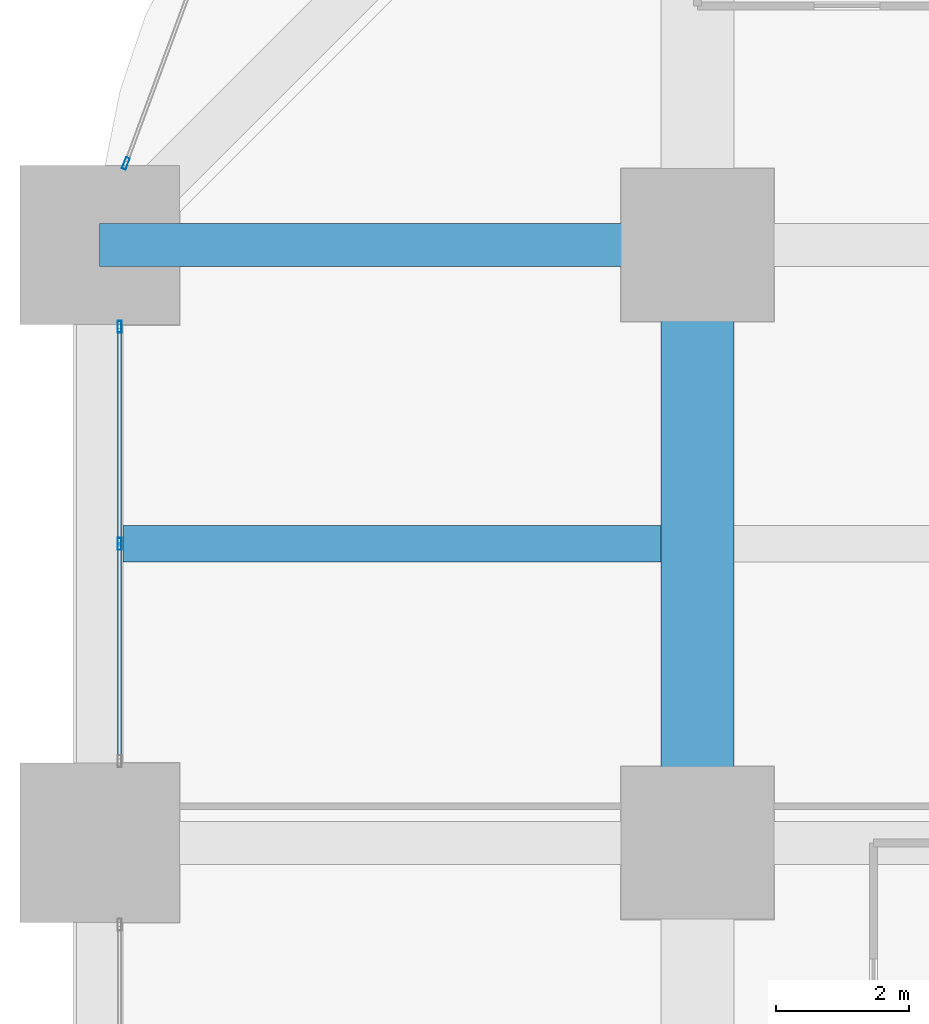
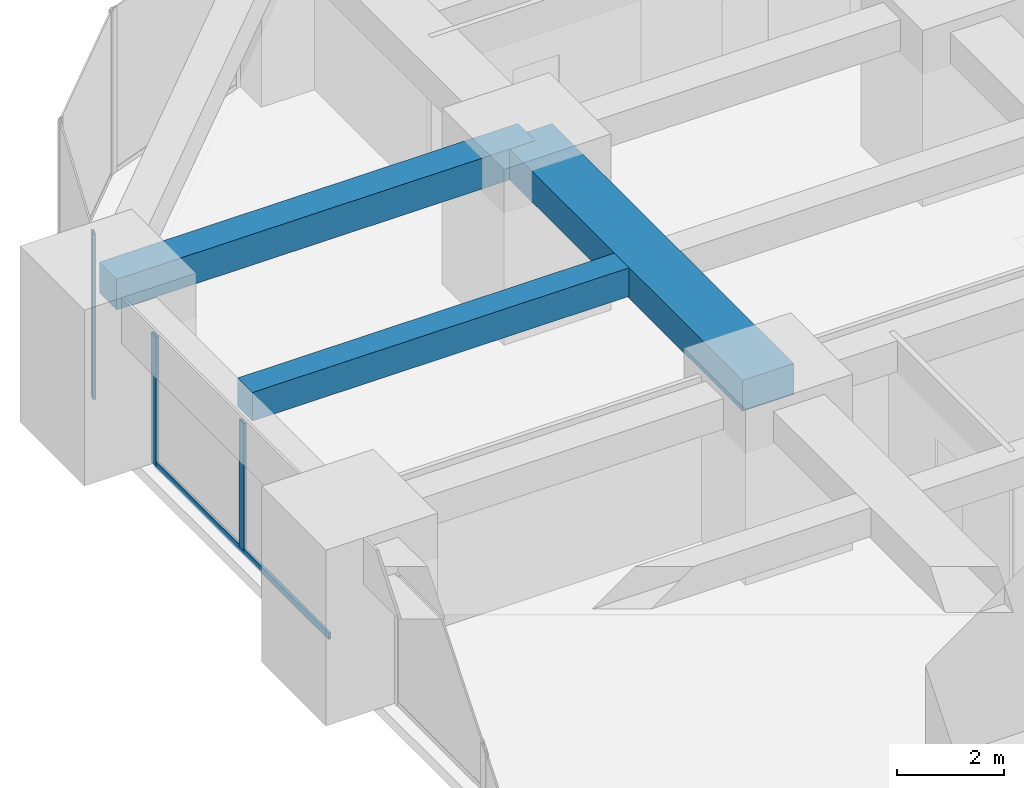
# One storey, part 25 of 44: 4 members, 3 beams, 2 elements without a shape of their own.
"""IFC4 building model written with IfcOpenShell, lengths in metres."""

from ifc_helpers import new_model, si_unit, direction, frame, origin, origin_2d, place, context, subcontext, project, spatial, rectangle, hollow_rectangle, extrude, material, material_profile, profile_set, type_object, element, aggregate, save


model = new_model("IFC4")

# Units and contexts
model_context = context("Model", 3, precision=1e-05, world=origin(), true_north=direction((0.0, 1.0)))
body_context = subcontext(model_context, "Body", "Model", "MODEL_VIEW")
ifc_project = project(units=[si_unit("LENGTHUNIT", "METRE"), si_unit("AREAUNIT", "SQUARE_METRE"), si_unit("VOLUMEUNIT", "CUBIC_METRE"), si_unit("PLANEANGLEUNIT", "RADIAN"), si_unit("MASSUNIT", "GRAM", prefix="KILO")], contexts=[model_context])

# Site, building, storey
site_placement = place(None, origin())
site = spatial("IfcSite", under=ifc_project, at=site_placement, CompositionType="ELEMENT")
building_placement = place(site_placement, origin())
building = spatial("IfcBuilding", under=site, at=building_placement, Name="Zorevar Civic Tower", CompositionType="ELEMENT")
storey_placement = place(building_placement, frame((0.0, 0.0, 43.800048828125)))
storey = spatial("IfcBuildingStorey", under=building, at=storey_placement, Name="L10", CompositionType="ELEMENT", Elevation=43.800048828125)

# Beams
ifc_material_1 = material(Name="Concrete C50/60", Category="concrete")
ifc_material_profile_1 = material_profile(ifc_material_1, rectangle(XDim=1.10009765625, YDim=0.699951171875, at=origin_2d()), Name="RC 1100x700")
ifc_profile_set_1 = profile_set([ifc_material_profile_1], Name="Concrete C50/60")
beam_type_1 = type_object("IfcBeamType", Name="Beam RC 1100x700", PredefinedType="BEAM", material=ifc_profile_set_1)
beam_1_placement = place(storey_placement, frame((9.0, 36.0, 3.39990234375), z_axis=(0.0, 1.0, 0.0), x_axis=(-1.0, 0.0, 0.0)))
element("IfcBeam", 1, at=beam_1_placement, inside=storey, type_object=beam_type_1, Name="Girder L11", PredefinedType="BEAM", context=body_context, shape_type="SweptSolid", body=[
    extrude(rectangle(XDim=1.10009765625, YDim=0.699951171875, at=origin_2d()), origin(), (0.0, 0.0, 1.0), 9.0),
])
ifc_material_2 = material(Name="Concrete C50/60", Category="concrete")
ifc_material_profile_2 = material_profile(ifc_material_2, rectangle(XDim=0.550048828125, YDim=0.64990234375, at=origin_2d()), Name="RC 550x650")
ifc_profile_set_2 = profile_set([ifc_material_profile_2], Name="Concrete C50/60")
beam_type_2 = type_object("IfcBeamType", Name="Beam RC 550x650", PredefinedType="BEAM", material=ifc_profile_set_2)
beam_2_placement = place(storey_placement, frame((0.35009765625, 40.5, 3.425048828125), z_axis=(1.0, 0.0, 0.0), x_axis=(0.0, 1.0, 0.0)))
element("IfcBeam", 2, at=beam_2_placement, inside=storey, type_object=beam_type_2, Name="Secondary beam L11", PredefinedType="BEAM", context=body_context, shape_type="SweptSolid", body=[
    extrude(rectangle(XDim=0.550048828125, YDim=0.64990234375, at=origin_2d()), origin(), (0.0, 0.0, 1.0), 8.099853515625),
])
ifc_material_3 = material(Name="Concrete C50/60", Category="concrete")
ifc_material_profile_3 = material_profile(ifc_material_3, rectangle(XDim=0.64990234375, YDim=0.699951171875, at=origin_2d()), Name="RC 650x700")
ifc_profile_set_3 = profile_set([ifc_material_profile_3], Name="Concrete C50/60")
beam_type_3 = type_object("IfcBeamType", Name="Beam RC 650x700", PredefinedType="BEAM", material=ifc_profile_set_3)
beam_3_placement = place(storey_placement, frame((0.0, 45.0, 3.39990234375), z_axis=(1.0, 0.0, 0.0), x_axis=(0.0, 1.0, 0.0)))
element("IfcBeam", 3, at=beam_3_placement, inside=storey, type_object=beam_type_3, Name="Girder L11", PredefinedType="BEAM", context=body_context, shape_type="SweptSolid", body=[
    extrude(rectangle(XDim=0.64990234375, YDim=0.699951171875, at=origin_2d()), origin(), (0.0, 0.0, 1.0), 9.0),
])

# Curtain wall, members
ifc_material_4 = material(Name="Dark grey solar-control glass in black aluminium frame", Category="aluminium")
curtain_wall_type = type_object("IfcCurtainWallType", Name="Curtain wall CW2 low zone", PredefinedType="NOTDEFINED", material=ifc_material_4)
curtain_wall_1_placement = place(storey_placement, origin())
curtain_wall_1 = element("IfcCurtainWall", 4, at=curtain_wall_1_placement, inside=storey, type_object=curtain_wall_type, Name="CW2 L10", PredefinedType="NOTDEFINED")
ifc_material_5 = material(Name="Aluminium, black anodised", Category="aluminium")
ifc_material_profile_4 = material_profile(ifc_material_5, hollow_rectangle(XDim=0.06005859375, YDim=0.179931640625, WallThickness=0.00390625, at=origin_2d()), Name="AL 180x60x4")
ifc_profile_set_4 = profile_set([ifc_material_profile_4], Name="Aluminium, black anodised")
member_type_1 = type_object("IfcMemberType", Name="CW2 mullion AL 180x60x4", PredefinedType="MULLION", material=ifc_profile_set_4)
member_1_placement = place(storey_placement, frame((0.300048828125, 40.5, 0.06005859375), z_axis=(0.0, 0.0, 1.0), x_axis=(-1.0, 0.0, 0.0)))
member_1 = element("IfcMember", 5, at=member_1_placement, type_object=member_type_1, Name="CW2 mullion 2", PredefinedType="MULLION", context=body_context, shape_type="SweptSolid", body=[
    extrude(hollow_rectangle(XDim=0.06005859375, YDim=0.179931640625, WallThickness=0.00390625, at=origin_2d()), origin(), (0.0, 0.0, 1.0), 2.889892578125),
])
member_2_placement = place(storey_placement, frame((0.300048828125, 43.77001953125, 0.0), z_axis=(0.0, 0.0, 1.0), x_axis=(-1.0, 0.0, 0.0)))
member_2 = element("IfcMember", 6, at=member_2_placement, type_object=member_type_1, Name="CW2 mullion 3", PredefinedType="MULLION", context=body_context, shape_type="SweptSolid", body=[
    extrude(hollow_rectangle(XDim=0.06005859375, YDim=0.179931640625, WallThickness=0.00390625, at=origin_2d()), origin(), (0.0, 0.0, 1.0), 2.949951171875),
])

# Curtain wall, member
curtain_wall_2_placement = place(storey_placement, origin())
curtain_wall_2 = element("IfcCurtainWall", 7, at=curtain_wall_2_placement, inside=storey, type_object=curtain_wall_type, Name="CW2 L10", PredefinedType="NOTDEFINED")
member_3_placement = place(storey_placement, frame((0.3935546875, 46.22802734375, 0.0), z_axis=(0.0, 0.0, 1.0), x_axis=(0.937974588163, -0.346704012033, 0.0)))
member_3 = element("IfcMember", 8, at=member_3_placement, type_object=member_type_1, Name="CW2 mullion 2", PredefinedType="MULLION", context=body_context, shape_type="SweptSolid", body=[
    extrude(hollow_rectangle(XDim=0.06005859375, YDim=0.179931640625, WallThickness=0.00390625, at=origin_2d()), origin(), (0.0, 0.0, 1.0), 3.75),
])
aggregate(curtain_wall_2, [member_3])

# Member
ifc_material_6 = material(Name="Aluminium, black anodised", Category="aluminium")
ifc_material_profile_5 = material_profile(ifc_material_6, hollow_rectangle(XDim=0.06005859375, YDim=0.14990234375, WallThickness=0.00390625, at=origin_2d()), Name="AL 150x60x4")
ifc_profile_set_5 = profile_set([ifc_material_profile_5], Name="Aluminium, black anodised")
member_type_2 = type_object("IfcMemberType", Name="CW2 transom AL 150x60x4", PredefinedType="USERDEFINED", material=ifc_profile_set_5)
member_4_placement = place(storey_placement, frame((0.300048828125, 37.260009765625, 0.030029296875), z_axis=(0.0, 1.0, 0.0), x_axis=(-1.0, 0.0, 0.0)))
member_4 = element("IfcMember", 9, at=member_4_placement, type_object=member_type_2, Name="CW2 sill transom", ObjectType="TRANSOM", PredefinedType="USERDEFINED", context=body_context, shape_type="SweptSolid", body=[
    extrude(hollow_rectangle(XDim=0.06005859375, YDim=0.14990234375, WallThickness=0.00390625, at=origin_2d()), origin(), (0.0, 0.0, 1.0), 6.47998046875),
])

aggregate(curtain_wall_1, [member_1, member_2, member_4])

save(model, "model.ifc")
